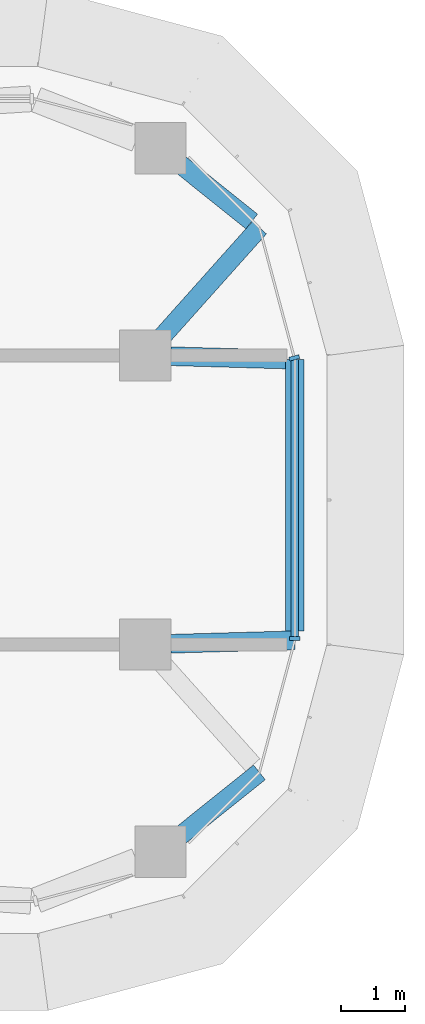
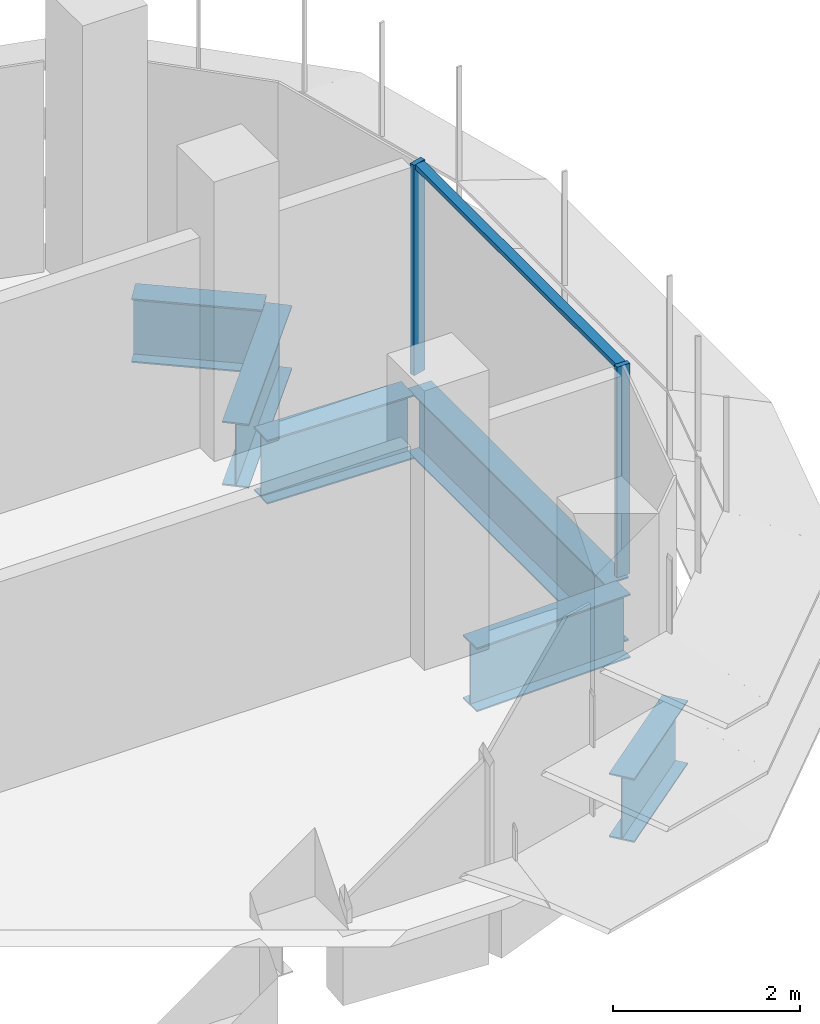
# One storey, part 10 of 19: 6 beams, 3 members, 2 elements without a shape of their own.
"""IFC4 building model written with IfcOpenShell, lengths in metres."""

import ifcopenshell
import ifcopenshell.guid

model = None  # the IFC model being written
_history = None  # IfcOwnerHistory: only IFC2X3 demands one
_inside = {}  # id of a spatial element -> (the spatial element, [elements in it])
_under = {}  # id of a project, library or spatial element -> (it, [spatial elements below it])
_declared = {}  # id of a project -> (the project, [libraries it declares])
_typed = {}  # id of a type object -> (the type object, [elements of that type])
_made_of = {}  # id of a material, layer set ... -> (it, [elements and type objects made of it])


def new_model(schema):
    """Start an empty IFC model of exactly this schema.

    Asked for "IFC4X3", IfcOpenShell would pick the latest addendum, in which some entities
    have other attributes; the version numbers below select the first issue.
    IFC2X3 requires an IfcOwnerHistory on every rooted entity: one is made here for all.
    """
    global model, _history
    if schema == "IFC4X3":
        model = ifcopenshell.file(schema_version=(4, 3, 0, 0))
    else:
        model = ifcopenshell.file(schema=schema)
    _inside.clear()
    _under.clear()
    _declared.clear()
    _typed.clear()
    _made_of.clear()
    _history = None
    if model.schema == "IFC2X3":
        org = make("IfcOrganization", Name="unknown")
        user = make(
            "IfcPersonAndOrganization",
            ThePerson=make("IfcPerson", FamilyName="unknown"),
            TheOrganization=org,
        )
        app = make(
            "IfcApplication",
            ApplicationDeveloper=org,
            Version="unknown",
            ApplicationFullName="unknown",
            ApplicationIdentifier="unknown",
        )
        _history = make(
            "IfcOwnerHistory",
            OwningUser=user,
            OwningApplication=app,
            ChangeAction="ADDED",
            CreationDate=0,
        )
    return model


def make(cls, **values):
    """One entity of the class cls with the attributes given. An attribute that is None is left unset."""
    return model.create_entity(
        cls, **{name: value for name, value in values.items() if value is not None}
    )


def rooted(cls, **values):
    """An entity with a GlobalId (a new one), such as an element, a storey or a relation."""
    return make(cls, GlobalId=ifcopenshell.guid.new(), OwnerHistory=_history, **values)


def si_unit(unit_type, name, prefix=None):
    """IfcSIUnit, for example si_unit("LENGTHUNIT", "METRE", prefix="MILLI")."""
    return make("IfcSIUnit", UnitType=unit_type, Prefix=prefix, Name=name)


def assignment(units):
    """IfcUnitAssignment: the units of a project."""
    return None if units is None else make("IfcUnitAssignment", Units=units)


def point(xyz):
    """IfcCartesianPoint."""
    return None if xyz is None else make("IfcCartesianPoint", Coordinates=xyz)


def direction(xyz):
    """IfcDirection."""
    return None if xyz is None else make("IfcDirection", DirectionRatios=xyz)


def frame(location, z_axis=None, x_axis=None):
    """IfcAxis2Placement3D, a coordinate frame: its origin and axes. An axis left out is left unset."""
    return make(
        "IfcAxis2Placement3D",
        Location=point(location),
        Axis=direction(z_axis),
        RefDirection=direction(x_axis),
    )


def frame_2d(location, x_axis=None):
    """IfcAxis2Placement2D, a coordinate frame in the plane: its origin and x axis."""
    return make(
        "IfcAxis2Placement2D", Location=point(location), RefDirection=direction(x_axis)
    )


def origin():
    """The frame at (0, 0, 0) with its axes left unset."""
    return frame((0.0, 0.0, 0.0))


def origin_2d():
    """The frame at (0, 0) in the plane with its x axis left unset."""
    return frame_2d((0.0, 0.0))


def place(relative_to, where):
    """IfcLocalPlacement: puts the frame where relative to a parent placement (None: the world)."""
    return make(
        "IfcLocalPlacement", PlacementRelTo=relative_to, RelativePlacement=where
    )


def context(
    kind, dimensions, precision=None, world=None, true_north=None, identifier=None
):
    """IfcGeometricRepresentationContext, for example the 3D "Model" context."""
    return make(
        "IfcGeometricRepresentationContext",
        ContextIdentifier=identifier,
        ContextType=kind,
        CoordinateSpaceDimension=dimensions,
        Precision=precision,
        WorldCoordinateSystem=world,
        TrueNorth=true_north,
    )


def subcontext(parent, identifier, kind, view, scale=None):
    """IfcGeometricRepresentationSubContext, for example "Body" below "Model"."""
    return make(
        "IfcGeometricRepresentationSubContext",
        ContextIdentifier=identifier,
        ContextType=kind,
        ParentContext=parent,
        TargetScale=scale,
        TargetView=view,
    )


def project(units=None, contexts=None):
    """IfcProject with its units and contexts."""
    return rooted(
        "IfcProject",
        Name="project",
        RepresentationContexts=contexts,
        UnitsInContext=assignment(units),
    )


def spatial(cls, under=None, at=None, **own):
    """A site, building, storey or space (cls), placed at a placement, below another one or the project."""
    s = rooted(cls, ObjectPlacement=at, **own)
    if under is not None:
        _under.setdefault(under.id(), (under, []))[1].append(s)
    return s


def polyline(points):
    """IfcPolyline through the points."""
    return make("IfcPolyline", Points=[point(p) for p in points])


def profile(cls, at=None, kind="AREA", **sizes):
    """A parametric profile (cls). Its sizes go by their IFC names, for example OverallWidth=200.0."""
    return make(cls, ProfileType=kind, Position=at, **sizes)


def i_section(**sizes):
    """IfcIShapeProfileDef."""
    return profile("IfcIShapeProfileDef", **sizes)


def outline(outer, holes=None, kind="AREA"):
    """IfcArbitraryClosedProfileDef: a profile drawn as a closed curve; with holes, ...WithVoids."""
    if holes is None:
        return make("IfcArbitraryClosedProfileDef", ProfileType=kind, OuterCurve=outer)
    return make(
        "IfcArbitraryProfileDefWithVoids",
        ProfileType=kind,
        OuterCurve=outer,
        InnerCurves=holes,
    )


def extrude(swept, where, along, depth):
    """IfcExtrudedAreaSolid: the profile swept, set in the frame where, extruded along a direction by depth."""
    return make(
        "IfcExtrudedAreaSolid",
        SweptArea=swept,
        Position=where,
        ExtrudedDirection=direction(along),
        Depth=depth,
    )


def shape(context_of_items, identifier, shape_type, items):
    """IfcShapeRepresentation: the items that make up one representation, for example the "Body"."""
    return make(
        "IfcShapeRepresentation",
        ContextOfItems=context_of_items,
        RepresentationIdentifier=identifier,
        RepresentationType=shape_type,
        Items=items,
    )


def source(mapping_origin, context_of_items, identifier, shape_type, items):
    """IfcRepresentationMap: a shape defined once, which mapped items show again and again."""
    return make(
        "IfcRepresentationMap",
        MappingOrigin=mapping_origin,
        MappedRepresentation=shape(context_of_items, identifier, shape_type, items),
    )


def transform(
    local_origin,
    x_axis=None,
    y_axis=None,
    z_axis=None,
    scale=None,
    scale2=None,
    scale3=None,
    uniform=True,
):
    """IfcCartesianTransformationOperator3D, or its non-uniform kind. x_axis, y_axis, z_axis: its Axis1, 2, 3."""
    if uniform:
        return make(
            "IfcCartesianTransformationOperator3D",
            Axis1=direction(x_axis),
            Axis2=direction(y_axis),
            LocalOrigin=point(local_origin),
            Scale=scale,
            Axis3=direction(z_axis),
        )
    return make(
        "IfcCartesianTransformationOperator3DnonUniform",
        Axis1=direction(x_axis),
        Axis2=direction(y_axis),
        LocalOrigin=point(local_origin),
        Scale=scale,
        Axis3=direction(z_axis),
        Scale2=scale2,
        Scale3=scale3,
    )


def mapped(mapping_source, mapping_target):
    """IfcMappedItem: shows the shape of a source again, moved by a transform."""
    return make(
        "IfcMappedItem", MappingSource=mapping_source, MappingTarget=mapping_target
    )


def material(Name=None, Category=None):
    """IfcMaterial."""
    return make("IfcMaterial", Name=Name, Category=Category)


def material_profile(
    of_material, cross_section, Name=None, Category=None, Priority=None
):
    """IfcMaterialProfile: a cross section and its material."""
    return make(
        "IfcMaterialProfile",
        Name=Name,
        Material=of_material,
        Profile=cross_section,
        Priority=Priority,
        Category=Category,
    )


def profile_set(profiles, Name=None, composite=None):
    """IfcMaterialProfileSet."""
    return make(
        "IfcMaterialProfileSet",
        Name=Name,
        MaterialProfiles=profiles,
        CompositeProfile=composite,
    )


def made_of(thing, what):
    """Note that an element or type object is made of a material, layer set ...; save() writes the relation."""
    if what is not None:
        _made_of.setdefault(what.id(), (what, []))[1].append(thing)
    return thing


def type_object(cls, material=None, **own):
    """A type object (cls), such as IfcWallType, which elements share."""
    return made_of(rooted(cls, **own), material)


def element(
    cls,
    number,
    at=None,
    inside=None,
    cuts=None,
    type_object=None,
    material=None,
    context=None,
    identifier="Body",
    shape_type=None,
    held_by="IfcProductDefinitionShape",
    body=None,
    shapes=None,
    **own,
):
    """One element of the class cls, such as IfcWall. Its Tag is "e" and its number.

    at: its placement. inside: the storey or other place that contains it. cuts: it is an
    opening in that element (IfcRelVoidsElement). A single representation is given by context,
    identifier, shape_type and body (its items); several are given by shapes. held_by: the class
    of the entity that holds the representations. save() writes the other relations.
    """
    e = rooted(cls, Tag="e%d" % number, ObjectPlacement=at, **own)
    if body is not None:
        shapes = [shape(context, identifier, shape_type, body)]
    if shapes is not None:
        e.Representation = make(held_by, Representations=shapes)
    if inside is not None:
        _inside.setdefault(inside.id(), (inside, []))[1].append(e)
    if cuts is not None:
        rooted(
            "IfcRelVoidsElement", RelatingBuildingElement=cuts, RelatedOpeningElement=e
        )
    if type_object is not None:
        _typed.setdefault(type_object.id(), (type_object, []))[1].append(e)
    return made_of(e, material)


def aggregate(whole, parts):
    """IfcRelAggregates: a whole, such as a stair, and the parts it consists of."""
    return rooted("IfcRelAggregates", RelatingObject=whole, RelatedObjects=parts)


def save(model, path):
    """Write the relations noted so far, then the file.

    IfcRelAggregates (storeys below a building ...), IfcRelContainedInSpatialStructure (elements
    in a storey), IfcRelDefinesByType, IfcRelAssociatesMaterial and IfcRelDeclares: one each for
    every whole, place, type object, material and project.
    """
    for whole, parts in _under.values():
        aggregate(whole, parts)
    for where, things in _inside.values():
        rooted(
            "IfcRelContainedInSpatialStructure",
            RelatedElements=things,
            RelatingStructure=where,
        )
    for kind, things in _typed.values():
        rooted("IfcRelDefinesByType", RelatedObjects=things, RelatingType=kind)
    for what, things in _made_of.values():
        rooted("IfcRelAssociatesMaterial", RelatedObjects=things, RelatingMaterial=what)
    for by, libraries in _declared.values():
        rooted("IfcRelDeclares", RelatingContext=by, RelatedDefinitions=libraries)
    model.write(path)


model = new_model("IFC4")

# Units and contexts
model_context = context("Model", 3, precision=1e-05, world=origin(), true_north=direction((0.0, 1.0)))
body_context = subcontext(model_context, "Body", "Model", "MODEL_VIEW")
ifc_project = project(units=[si_unit("LENGTHUNIT", "METRE"), si_unit("AREAUNIT", "SQUARE_METRE"), si_unit("VOLUMEUNIT", "CUBIC_METRE"), si_unit("PLANEANGLEUNIT", "RADIAN"), si_unit("MASSUNIT", "GRAM", prefix="KILO")], contexts=[model_context])

# Site, building, storey
site_placement = place(None, origin())
site = spatial("IfcSite", under=ifc_project, at=site_placement, CompositionType="ELEMENT")
building_placement = place(site_placement, origin())
building = spatial("IfcBuilding", under=site, at=building_placement, Name="Zarbagh Exchange Tower", CompositionType="ELEMENT")
storey_placement = place(building_placement, frame((0.0, 0.0, 179.0)))
storey = spatial("IfcBuildingStorey", under=building, at=storey_placement, Name="L43", CompositionType="ELEMENT", Elevation=179.0)

# Beams
ifc_material_1 = material(Name="Steel ASTM A992 Gr 50", Category="steel")
ifc_material_profile = material_profile(ifc_material_1, i_section(OverallWidth=0.2919921875, OverallDepth=0.835693359375, WebThickness=0.013916015625, FlangeThickness=0.018798828125, at=origin_2d()), Name="W33X118")
ifc_profile_set = profile_set([ifc_material_profile], Name="Steel ASTM A992 Gr 50")
beam_type = type_object("IfcBeamType", Name="Floor girder W33X118", PredefinedType="BEAM", material=ifc_profile_set)
beam_1_placement = place(storey_placement, frame((29.22021484375, 5.22509765625, -0.56787109375), z_axis=(0.780533236132, -0.625114283387, 0.0), x_axis=(0.625114283387, 0.780533236132, 0.0)))
element("IfcBeam", 1, at=beam_1_placement, inside=storey, type_object=beam_type, Name="Steel girder", PredefinedType="BEAM", context=body_context, shape_type="SweptSolid", body=[
    extrude(i_section(OverallWidth=0.2919921875, OverallDepth=0.835693359375, WebThickness=0.013916015625, FlangeThickness=0.018798828125, at=origin_2d()), origin(), (0.0, 0.0, 1.0), 1.420166015625),
])
beam_2_placement = place(storey_placement, frame((30.44873046875, 4.2412109375, -0.56787109375), z_axis=(-0.666191013206, -0.745781156857, 0.0), x_axis=(0.745781156857, -0.666191013206, 0.0)))
element("IfcBeam", 2, at=beam_2_placement, inside=storey, type_object=beam_type, Name="Steel girder", PredefinedType="BEAM", context=body_context, shape_type="SweptSolid", body=[
    extrude(i_section(OverallWidth=0.2919921875, OverallDepth=0.835693359375, WebThickness=0.013916015625, FlangeThickness=0.018798828125, at=origin_2d()), origin(), (0.0, 0.0, 1.0), 2.27001953125),
])
beam_3_placement = place(storey_placement, frame((29.06982421875, 2.23876953125, -0.56787109375), z_axis=(0.999600942558, -0.028248108547, 0.0), x_axis=(0.028248108547, 0.999600942558, 0.0)))
element("IfcBeam", 3, at=beam_3_placement, inside=storey, type_object=beam_type, Name="Steel girder", PredefinedType="BEAM", context=body_context, shape_type="SweptSolid", body=[
    extrude(i_section(OverallWidth=0.2919921875, OverallDepth=0.835693359375, WebThickness=0.013916015625, FlangeThickness=0.018798828125, at=origin_2d()), origin(), (0.0, 0.0, 1.0), 1.7890625),
])
beam_4_placement = place(storey_placement, frame((31.0, 2.18408203125, -0.56787109375), z_axis=(0.0, -1.0, 0.0), x_axis=(1.0, 0.0, 0.0)))
element("IfcBeam", 4, at=beam_4_placement, inside=storey, type_object=beam_type, Name="Steel girder", PredefinedType="BEAM", context=body_context, shape_type="SweptSolid", body=[
    extrude(i_section(OverallWidth=0.2919921875, OverallDepth=0.835693359375, WebThickness=0.013916015625, FlangeThickness=0.018798828125, at=origin_2d()), origin(), (0.0, 0.0, 1.0), 4.226318359375),
])
beam_5_placement = place(storey_placement, frame((31.0, -2.18408203125, -0.56787109375), z_axis=(-0.999598864551, -0.028321546377, 0.0), x_axis=(0.028321546377, -0.999598864551, 0.0)))
element("IfcBeam", 5, at=beam_5_placement, inside=storey, type_object=beam_type, Name="Steel girder", PredefinedType="BEAM", context=body_context, shape_type="SweptSolid", body=[
    extrude(i_section(OverallWidth=0.2919921875, OverallDepth=0.835693359375, WebThickness=0.013916015625, FlangeThickness=0.018798828125, at=origin_2d()), origin(), (0.0, 0.0, 1.0), 1.930908203125),
])
beam_6_placement = place(storey_placement, frame((30.44873046875, -4.2412109375, -0.56787109375), z_axis=(-0.780535770033, -0.625111119482, 0.0), x_axis=(0.625111119482, -0.780535770033, 0.0)))
element("IfcBeam", 6, at=beam_6_placement, inside=storey, type_object=beam_type, Name="Steel girder", PredefinedType="BEAM", context=body_context, shape_type="SweptSolid", body=[
    extrude(i_section(OverallWidth=0.2919921875, OverallDepth=0.835693359375, WebThickness=0.013916015625, FlangeThickness=0.018798828125, at=origin_2d()), origin(), (0.0, 0.0, 1.0), 1.573974609375),
])

# Curtain wall, member
ifc_material_2 = material(Name="Anodised aluminium frame and glazing", Category="aluminium")
curtain_wall_type = type_object("IfcCurtainWallType", Name="CWB Ribbon glazing, upper zones", PredefinedType="NOTDEFINED", material=ifc_material_2)
curtain_wall_1_placement = place(storey_placement, origin())
curtain_wall_1 = element("IfcCurtainWall", 7, at=curtain_wall_1_placement, inside=storey, type_object=curtain_wall_type, Name="CWB12 curtain wall", PredefinedType="NOTDEFINED")
ifc_material_3 = material(Name="Anodised aluminium frame", Category="aluminium")
member_type_1 = type_object("IfcMemberType", Name="MUB Mullion, anodised aluminium frame", PredefinedType="MULLION", material=ifc_material_3)
shared_shape_1 = source(origin(), body_context, "Body", "SweptSolid", [
    extrude(outline(polyline([(0.0, -0.080078125), (0.06005859375, -0.080078125), (0.06005859375, 0.080078125), (0.0, 0.080078125), (0.0, -0.080078125)])), origin(), (0.0, 0.0, 1.0), 2.75),
])
placement = place(storey_placement, origin())
member_1 = element("IfcMember", 8, at=placement, type_object=member_type_1, Name="CWB12 mullion 1.1", PredefinedType="MULLION", context=body_context, shape_type="MappedRepresentation", body=[
    mapped(shared_shape_1, transform((31.0, -2.18408203125, 0.0), x_axis=(0.0, 1.0, 0.0), y_axis=(-1.0, 0.0, 0.0), z_axis=(0.0, 0.0, 1.0))),
])

curtain_wall_2_placement = place(storey_placement, origin())
curtain_wall_2 = element("IfcCurtainWall", 9, at=curtain_wall_2_placement, inside=storey, type_object=curtain_wall_type, Name="CWB13 curtain wall", PredefinedType="NOTDEFINED")
member_2 = element("IfcMember", 10, at=placement, type_object=member_type_1, Name="CWB13 mullion 1.1", PredefinedType="MULLION", context=body_context, shape_type="MappedRepresentation", body=[
    mapped(shared_shape_1, transform((31.0, 2.18408203125, 0.0), x_axis=(-0.258824779902, 0.965924289636, 0.0), y_axis=(-0.965924289636, -0.258824779902, 0.0), z_axis=(0.0, 0.0, 1.0))),
])
aggregate(curtain_wall_2, [member_2])

# Member
member_type_2 = type_object("IfcMemberType", Name="TRB Transom, anodised aluminium frame", PredefinedType="USERDEFINED", material=ifc_material_3)
shared_shape_2 = source(origin(), body_context, "Body", "SweptSolid", [
    extrude(outline(polyline([(-0.06005859375, -0.06005859375), (0.0, -0.06005859375), (0.0, 0.06005859375), (-0.06005859375, 0.06005859375), (-0.06005859375, -0.06005859375)])), origin(), (0.0, 0.0, 1.0), 4.308349609375),
])
member_3 = element("IfcMember", 11, at=placement, type_object=member_type_2, Name="CWB12 transom 1.1", ObjectType="TRANSOM", PredefinedType="USERDEFINED", context=body_context, shape_type="MappedRepresentation", body=[
    mapped(shared_shape_2, transform((31.0, -2.124267578125, 2.75), x_axis=(0.0, 0.0, 1.0), y_axis=(1.0, 0.0, 0.0), z_axis=(0.0, 1.0, 0.0))),
])

aggregate(curtain_wall_1, [member_1, member_3])

save(model, "model.ifc")
